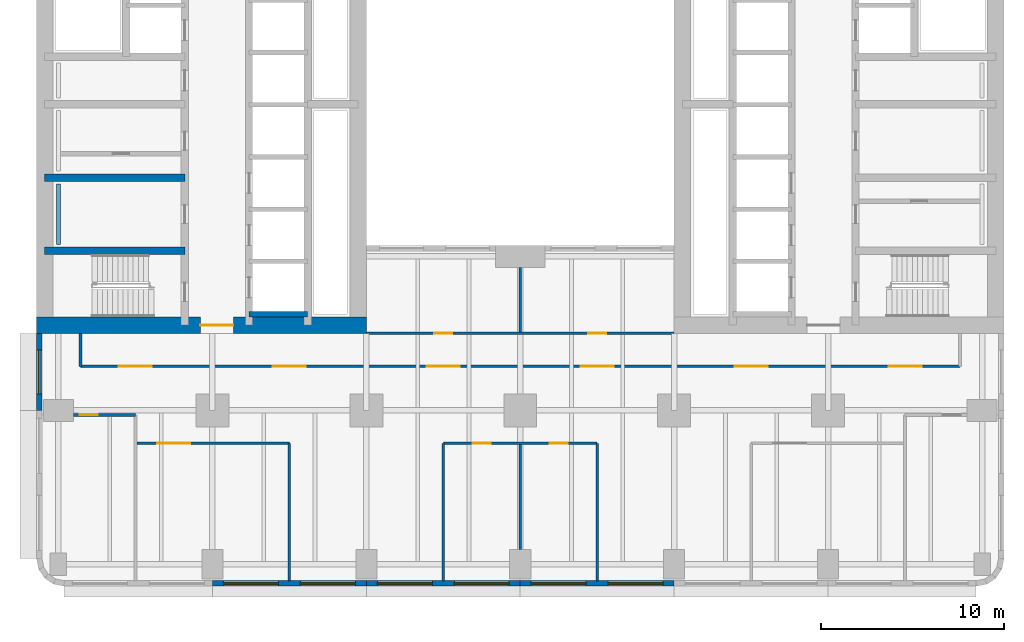
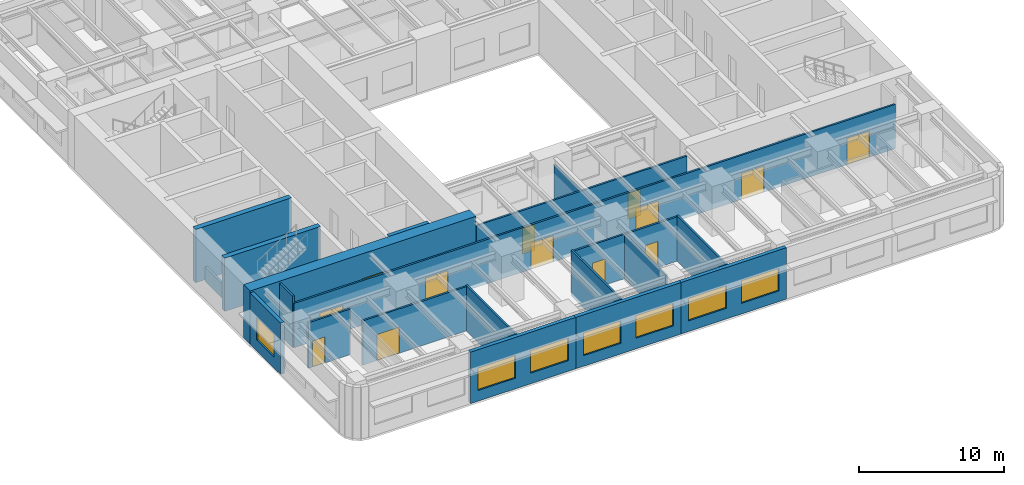
# One storey, part 3 of 14: 20 walls, 13 doors, 7 windows, 20 openings.
"""IFC4 building model written with IfcOpenShell, lengths in metres."""

from ifc_helpers import new_model, si_unit, direction, frame, frame_2d, origin, place, context, subcontext, project, spatial, rectangle, extrude, material, layer, layer_set, type_object, element, fill, save


model = new_model("IFC4")

# Units and contexts
model_context = context("Model", 3, precision=1e-05, world=origin(), true_north=direction((0.0, 1.0)))
body_context = subcontext(model_context, "Body", "Model", "MODEL_VIEW")
ifc_project = project(units=[si_unit("LENGTHUNIT", "METRE"), si_unit("AREAUNIT", "SQUARE_METRE"), si_unit("VOLUMEUNIT", "CUBIC_METRE"), si_unit("PLANEANGLEUNIT", "RADIAN"), si_unit("MASSUNIT", "GRAM", prefix="KILO")], contexts=[model_context])

# Site, building, storey
site_placement = place(None, origin())
site = spatial("IfcSite", under=ifc_project, at=site_placement, CompositionType="ELEMENT")
building_placement = place(site_placement, origin())
building = spatial("IfcBuilding", under=site, at=building_placement, Name="Claustro Exchange Tower", CompositionType="ELEMENT")
storey_placement = place(building_placement, frame((0.0, 0.0, 77.39990234375)))
storey = spatial("IfcBuildingStorey", under=building, at=storey_placement, Name="L17", CompositionType="ELEMENT", Elevation=77.39990234375)

# Wall, opening, door
ifc_material_1 = material(Name="Gypsum board on steel studs", Category="steel")
ifc_layer_1 = layer(ifc_material_1, 0.14990234375)
ifc_layer_set_1 = layer_set([ifc_layer_1], Name="Gypsum board on steel studs")
wall_type_1 = type_object("IfcWallType", Name="P1 150 plasterboard partition", PredefinedType="PARTITIONING", material=ifc_layer_set_1)
wall_1_placement = place(storey_placement, frame((0.823974609375, 8.14990234375, 0.0), z_axis=(0.0, 0.0, 1.0), x_axis=(1.0, 0.0, 0.0)))
wall_1 = element("IfcWall", 1, at=wall_1_placement, inside=storey, type_object=wall_type_1, Name="Partition P1 L17", PredefinedType="PARTITIONING", context=body_context, shape_type="SweptSolid", body=[
    extrude(rectangle(XDim=3.3759765625, YDim=0.14990234375, at=frame_2d((1.68798828125, 0.0))), origin(), (0.0, 0.0, 1.0), 3.840087890625),
])
opening_1_placement = place(wall_1_placement, frame((0.325927734375, 0.0, 0.0)))
opening_1 = element("IfcOpeningElement", 2, at=opening_1_placement, cuts=wall_1, Name="Opening D1", PredefinedType="OPENING", context=body_context, shape_type="SweptSolid", body=[
    extrude(rectangle(XDim=1.0, YDim=2.199951171875, at=frame_2d((0.5, 1.10009765625))), frame((0.0, 0.0849609375, 0.0), z_axis=(0.0, -1.0, 0.0), x_axis=(1.0, 0.0, 0.0)), (0.0, 0.0, 1.0), 0.169921875),
])
ifc_material_2 = material(Name="Timber door, oak veneer", Category="wood")
door_type_1 = type_object("IfcDoorType", Name="D1 1000 x 2200 single door", OperationType="SINGLE_SWING_LEFT", PredefinedType="DOOR", material=ifc_material_2)
door_1_placement = place(opening_1_placement, frame((1.0, 0.0, 0.0), z_axis=(0.0, 0.0, 1.0), x_axis=(-1.0, 0.0, 0.0)))
door_1 = element("IfcDoor", 3, at=door_1_placement, inside=storey, type_object=door_type_1, Name="Door D1 L17", OperationType="SINGLE_SWING_LEFT", OverallHeight=2.199951171875, OverallWidth=1.0, PredefinedType="DOOR", context=body_context, shape_type="SweptSolid", body=[
    extrude(rectangle(XDim=1.0, YDim=2.199951171875, at=frame_2d((0.5, 1.10009765625))), frame((0.0, 0.02490234375, 0.0), z_axis=(0.0, -1.0, 0.0), x_axis=(1.0, 0.0, 0.0)), (0.0, 0.0, 1.0), 0.050048828125),
])
fill(opening_1, door_1)

wall_2_placement = place(storey_placement, frame((4.27392578125, 6.60009765625, 0.0), z_axis=(0.0, 0.0, 1.0), x_axis=(1.0, 0.0, 0.0)))
wall_2 = element("IfcWall", 4, at=wall_2_placement, inside=storey, type_object=wall_type_1, Name="Partition P1 L17", PredefinedType="PARTITIONING", context=body_context, shape_type="SweptSolid", body=[
    extrude(rectangle(XDim=8.326171875, YDim=0.14990234375, at=frame_2d((4.1630859375, 0.0))), origin(), (0.0, 0.0, 1.0), 3.739990234375),
])
opening_2_placement = place(wall_2_placement, frame((1.1259765625, 0.0, 0.0)))
opening_2 = element("IfcOpeningElement", 5, at=opening_2_placement, cuts=wall_2, Name="Opening D2", PredefinedType="OPENING", context=body_context, shape_type="SweptSolid", body=[
    extrude(rectangle(XDim=1.800048828125, YDim=2.199951171875, at=frame_2d((0.89990234375, 1.10009765625))), frame((0.0, 0.0849609375, 0.0), z_axis=(0.0, -1.0, 0.0), x_axis=(1.0, 0.0, 0.0)), (0.0, 0.0, 1.0), 0.169921875),
])
ifc_material_3 = material(Name="Timber door, oak veneer", Category="wood")
door_type_2 = type_object("IfcDoorType", Name="D2 1800 x 2200 double door", OperationType="DOUBLE_DOOR_SINGLE_SWING", PredefinedType="DOOR", material=ifc_material_3)
door_2_placement = place(opening_2_placement, frame((1.800048828125, 0.0, 0.0), z_axis=(0.0, 0.0, 1.0), x_axis=(-1.0, 0.0, 0.0)))
door_2 = element("IfcDoor", 6, at=door_2_placement, inside=storey, type_object=door_type_2, Name="Double door D2 L17", OperationType="DOUBLE_DOOR_SINGLE_SWING", OverallHeight=2.199951171875, OverallWidth=1.800048828125, PredefinedType="DOOR", context=body_context, shape_type="SweptSolid", body=[
    extrude(rectangle(XDim=1.800048828125, YDim=2.199951171875, at=frame_2d((0.89990234375, 1.10009765625))), frame((0.0, 0.02490234375, 0.0), z_axis=(0.0, -1.0, 0.0), x_axis=(1.0, 0.0, 0.0)), (0.0, 0.0, 1.0), 0.050048828125),
])
fill(opening_2, door_2)

# Wall
wall_3_placement = place(storey_placement, frame((12.60009765625, -0.902099609375, 0.0), z_axis=(0.0, 0.0, 1.0), x_axis=(0.0, 1.0, 0.0)))
element("IfcWall", 7, at=wall_3_placement, inside=storey, type_object=wall_type_1, Name="Partition P1 L17", PredefinedType="PARTITIONING", context=body_context, shape_type="SweptSolid", body=[
    extrude(rectangle(XDim=7.502197265625, YDim=0.14990234375, at=frame_2d((3.7509765625, 0.0))), origin(), (0.0, 0.0, 1.0), 3.840087890625),
])

# Wall, openings, doors
wall_4_placement = place(storey_placement, frame((21.0, 6.60009765625, 0.0), z_axis=(0.0, 0.0, 1.0), x_axis=(1.0, 0.0, 0.0)))
wall_4 = element("IfcWall", 8, at=wall_4_placement, inside=storey, type_object=wall_type_1, Name="Partition P1 L17", PredefinedType="PARTITIONING", context=body_context, shape_type="SweptSolid", body=[
    extrude(rectangle(XDim=8.39990234375, YDim=0.14990234375, at=frame_2d((4.199951171875, 0.0))), origin(), (0.0, 0.0, 1.0), 3.739990234375),
])
opening_3_placement = place(wall_4_placement, frame((1.60009765625, 0.0, 0.0)))
opening_3 = element("IfcOpeningElement", 9, at=opening_3_placement, cuts=wall_4, Name="Opening D1", PredefinedType="OPENING", context=body_context, shape_type="SweptSolid", body=[
    extrude(rectangle(XDim=1.0, YDim=2.199951171875, at=frame_2d((0.5, 1.10009765625))), frame((0.0, 0.0849609375, 0.0), z_axis=(0.0, -1.0, 0.0), x_axis=(1.0, 0.0, 0.0)), (0.0, 0.0, 1.0), 0.169921875),
])
opening_4_placement = place(wall_4_placement, frame((5.800048828125, 0.0, 0.0)))
opening_4 = element("IfcOpeningElement", 10, at=opening_4_placement, cuts=wall_4, Name="Opening D1", PredefinedType="OPENING", context=body_context, shape_type="SweptSolid", body=[
    extrude(rectangle(XDim=1.0, YDim=2.199951171875, at=frame_2d((0.5, 1.10009765625))), frame((0.0, 0.0849609375, 0.0), z_axis=(0.0, -1.0, 0.0), x_axis=(1.0, 0.0, 0.0)), (0.0, 0.0, 1.0), 0.169921875),
])
door_3_placement = place(opening_3_placement, frame((1.0, 0.0, 0.0), z_axis=(0.0, 0.0, 1.0), x_axis=(-1.0, 0.0, 0.0)))
door_3 = element("IfcDoor", 11, at=door_3_placement, inside=storey, type_object=door_type_1, Name="Door D1 L17", OperationType="SINGLE_SWING_LEFT", OverallHeight=2.199951171875, OverallWidth=1.0, PredefinedType="DOOR", context=body_context, shape_type="SweptSolid", body=[
    extrude(rectangle(XDim=1.0, YDim=2.199951171875, at=frame_2d((0.5, 1.10009765625))), frame((0.0, 0.02490234375, 0.0), z_axis=(0.0, -1.0, 0.0), x_axis=(1.0, 0.0, 0.0)), (0.0, 0.0, 1.0), 0.050048828125),
])
fill(opening_3, door_3)
door_4_placement = place(opening_4_placement, frame((1.0, 0.0, 0.0), z_axis=(0.0, 0.0, 1.0), x_axis=(-1.0, 0.0, 0.0)))
door_4 = element("IfcDoor", 12, at=door_4_placement, inside=storey, type_object=door_type_1, Name="Door D1 L17", OperationType="SINGLE_SWING_LEFT", OverallHeight=2.199951171875, OverallWidth=1.0, PredefinedType="DOOR", context=body_context, shape_type="SweptSolid", body=[
    extrude(rectangle(XDim=1.0, YDim=2.199951171875, at=frame_2d((0.5, 1.10009765625))), frame((0.0, 0.02490234375, 0.0), z_axis=(0.0, -1.0, 0.0), x_axis=(1.0, 0.0, 0.0)), (0.0, 0.0, 1.0), 0.050048828125),
])
fill(opening_4, door_4)

# Walls
wall_5_placement = place(storey_placement, frame((21.0, -0.902099609375, 0.0), z_axis=(0.0, 0.0, 1.0), x_axis=(0.0, 1.0, 0.0)))
element("IfcWall", 13, at=wall_5_placement, inside=storey, type_object=wall_type_1, Name="Partition P1 L17", PredefinedType="PARTITIONING", context=body_context, shape_type="SweptSolid", body=[
    extrude(rectangle(XDim=7.502197265625, YDim=0.14990234375, at=frame_2d((3.7509765625, 0.0))), origin(), (0.0, 0.0, 1.0), 3.840087890625),
])
wall_6_placement = place(storey_placement, frame((25.199951171875, 0.799072265625, 0.0), z_axis=(0.0, 0.0, 1.0), x_axis=(0.0, 1.0, 0.0)))
element("IfcWall", 14, at=wall_6_placement, inside=storey, type_object=wall_type_1, Name="Partition P1 L17", PredefinedType="PARTITIONING", context=body_context, shape_type="SweptSolid", body=[
    extrude(rectangle(XDim=5.726806640625, YDim=0.14990234375, at=frame_2d((2.86328125, 0.0))), origin(), (0.0, 0.0, 1.0), 3.739990234375),
])
wall_7_placement = place(storey_placement, frame((29.39990234375, -0.902099609375, 0.0), z_axis=(0.0, 0.0, 1.0), x_axis=(0.0, 1.0, 0.0)))
element("IfcWall", 15, at=wall_7_placement, inside=storey, type_object=wall_type_1, Name="Partition P1 L17", PredefinedType="PARTITIONING", context=body_context, shape_type="SweptSolid", body=[
    extrude(rectangle(XDim=7.502197265625, YDim=0.14990234375, at=frame_2d((3.7509765625, 0.0))), origin(), (0.0, 0.0, 1.0), 3.840087890625),
])

# Wall, openings, doors
wall_8_placement = place(storey_placement, frame((1.199951171875, 10.800048828125, 0.0), z_axis=(0.0, 0.0, 1.0), x_axis=(1.0, 0.0, 0.0)))
wall_8 = element("IfcWall", 16, at=wall_8_placement, inside=storey, type_object=wall_type_1, Name="Partition P1 L17", PredefinedType="PARTITIONING", context=body_context, shape_type="SweptSolid", body=[
    extrude(rectangle(XDim=48.0, YDim=0.14990234375, at=frame_2d((24.0, 0.0))), origin(), (0.0, 0.0, 1.0), 3.739990234375),
])
opening_5_placement = place(wall_8_placement, frame((2.10009765625, 0.0, 0.0)))
opening_5 = element("IfcOpeningElement", 17, at=opening_5_placement, cuts=wall_8, Name="Opening D2", PredefinedType="OPENING", context=body_context, shape_type="SweptSolid", body=[
    extrude(rectangle(XDim=1.800048828125, YDim=2.199951171875, at=frame_2d((0.89990234375, 1.10009765625))), frame((0.0, 0.0849609375, 0.0), z_axis=(0.0, -1.0, 0.0), x_axis=(1.0, 0.0, 0.0)), (0.0, 0.0, 1.0), 0.169921875),
])
opening_6_placement = place(wall_8_placement, frame((10.5, 0.0, 0.0)))
opening_6 = element("IfcOpeningElement", 18, at=opening_6_placement, cuts=wall_8, Name="Opening D2", PredefinedType="OPENING", context=body_context, shape_type="SweptSolid", body=[
    extrude(rectangle(XDim=1.800048828125, YDim=2.199951171875, at=frame_2d((0.89990234375, 1.10009765625))), frame((0.0, 0.0849609375, 0.0), z_axis=(0.0, -1.0, 0.0), x_axis=(1.0, 0.0, 0.0)), (0.0, 0.0, 1.0), 0.169921875),
])
opening_7_placement = place(wall_8_placement, frame((18.89990234375, 0.0, 0.0)))
opening_7 = element("IfcOpeningElement", 19, at=opening_7_placement, cuts=wall_8, Name="Opening D2", PredefinedType="OPENING", context=body_context, shape_type="SweptSolid", body=[
    extrude(rectangle(XDim=1.800048828125, YDim=2.199951171875, at=frame_2d((0.89990234375, 1.10009765625))), frame((0.0, 0.0849609375, 0.0), z_axis=(0.0, -1.0, 0.0), x_axis=(1.0, 0.0, 0.0)), (0.0, 0.0, 1.0), 0.169921875),
])
opening_8_placement = place(wall_8_placement, frame((27.300048828125, 0.0, 0.0)))
opening_8 = element("IfcOpeningElement", 20, at=opening_8_placement, cuts=wall_8, Name="Opening D2", PredefinedType="OPENING", context=body_context, shape_type="SweptSolid", body=[
    extrude(rectangle(XDim=1.800048828125, YDim=2.199951171875, at=frame_2d((0.89990234375, 1.10009765625))), frame((0.0, 0.0849609375, 0.0), z_axis=(0.0, -1.0, 0.0), x_axis=(1.0, 0.0, 0.0)), (0.0, 0.0, 1.0), 0.169921875),
])
opening_9_placement = place(wall_8_placement, frame((35.699951171875, 0.0, 0.0)))
opening_9 = element("IfcOpeningElement", 21, at=opening_9_placement, cuts=wall_8, Name="Opening D2", PredefinedType="OPENING", context=body_context, shape_type="SweptSolid", body=[
    extrude(rectangle(XDim=1.800048828125, YDim=2.199951171875, at=frame_2d((0.89990234375, 1.10009765625))), frame((0.0, 0.0849609375, 0.0), z_axis=(0.0, -1.0, 0.0), x_axis=(1.0, 0.0, 0.0)), (0.0, 0.0, 1.0), 0.169921875),
])
opening_10_placement = place(wall_8_placement, frame((44.10009765625, 0.0, 0.0)))
opening_10 = element("IfcOpeningElement", 22, at=opening_10_placement, cuts=wall_8, Name="Opening D2", PredefinedType="OPENING", context=body_context, shape_type="SweptSolid", body=[
    extrude(rectangle(XDim=1.800048828125, YDim=2.199951171875, at=frame_2d((0.89990234375, 1.10009765625))), frame((0.0, 0.0849609375, 0.0), z_axis=(0.0, -1.0, 0.0), x_axis=(1.0, 0.0, 0.0)), (0.0, 0.0, 1.0), 0.169921875),
])
door_5_placement = place(opening_5_placement, frame((1.800048828125, 0.0, 0.0), z_axis=(0.0, 0.0, 1.0), x_axis=(-1.0, 0.0, 0.0)))
door_5 = element("IfcDoor", 23, at=door_5_placement, inside=storey, type_object=door_type_2, Name="Double door D2 L17", OperationType="DOUBLE_DOOR_SINGLE_SWING", OverallHeight=2.199951171875, OverallWidth=1.800048828125, PredefinedType="DOOR", context=body_context, shape_type="SweptSolid", body=[
    extrude(rectangle(XDim=1.800048828125, YDim=2.199951171875, at=frame_2d((0.89990234375, 1.10009765625))), frame((0.0, 0.02490234375, 0.0), z_axis=(0.0, -1.0, 0.0), x_axis=(1.0, 0.0, 0.0)), (0.0, 0.0, 1.0), 0.050048828125),
])
fill(opening_5, door_5)
door_6_placement = place(opening_6_placement, frame((1.800048828125, 0.0, 0.0), z_axis=(0.0, 0.0, 1.0), x_axis=(-1.0, 0.0, 0.0)))
door_6 = element("IfcDoor", 24, at=door_6_placement, inside=storey, type_object=door_type_2, Name="Double door D2 L17", OperationType="DOUBLE_DOOR_SINGLE_SWING", OverallHeight=2.199951171875, OverallWidth=1.800048828125, PredefinedType="DOOR", context=body_context, shape_type="SweptSolid", body=[
    extrude(rectangle(XDim=1.800048828125, YDim=2.199951171875, at=frame_2d((0.89990234375, 1.10009765625))), frame((0.0, 0.02490234375, 0.0), z_axis=(0.0, -1.0, 0.0), x_axis=(1.0, 0.0, 0.0)), (0.0, 0.0, 1.0), 0.050048828125),
])
fill(opening_6, door_6)
door_7_placement = place(opening_7_placement, frame((1.800048828125, 0.0, 0.0), z_axis=(0.0, 0.0, 1.0), x_axis=(-1.0, 0.0, 0.0)))
door_7 = element("IfcDoor", 25, at=door_7_placement, inside=storey, type_object=door_type_2, Name="Double door D2 L17", OperationType="DOUBLE_DOOR_SINGLE_SWING", OverallHeight=2.199951171875, OverallWidth=1.800048828125, PredefinedType="DOOR", context=body_context, shape_type="SweptSolid", body=[
    extrude(rectangle(XDim=1.800048828125, YDim=2.199951171875, at=frame_2d((0.89990234375, 1.10009765625))), frame((0.0, 0.02490234375, 0.0), z_axis=(0.0, -1.0, 0.0), x_axis=(1.0, 0.0, 0.0)), (0.0, 0.0, 1.0), 0.050048828125),
])
fill(opening_7, door_7)
door_8_placement = place(opening_8_placement, frame((1.800048828125, 0.0, 0.0), z_axis=(0.0, 0.0, 1.0), x_axis=(-1.0, 0.0, 0.0)))
door_8 = element("IfcDoor", 26, at=door_8_placement, inside=storey, type_object=door_type_2, Name="Double door D2 L17", OperationType="DOUBLE_DOOR_SINGLE_SWING", OverallHeight=2.199951171875, OverallWidth=1.800048828125, PredefinedType="DOOR", context=body_context, shape_type="SweptSolid", body=[
    extrude(rectangle(XDim=1.800048828125, YDim=2.199951171875, at=frame_2d((0.89990234375, 1.10009765625))), frame((0.0, 0.02490234375, 0.0), z_axis=(0.0, -1.0, 0.0), x_axis=(1.0, 0.0, 0.0)), (0.0, 0.0, 1.0), 0.050048828125),
])
fill(opening_8, door_8)
door_9_placement = place(opening_9_placement, frame((1.800048828125, 0.0, 0.0), z_axis=(0.0, 0.0, 1.0), x_axis=(-1.0, 0.0, 0.0)))
door_9 = element("IfcDoor", 27, at=door_9_placement, inside=storey, type_object=door_type_2, Name="Double door D2 L17", OperationType="DOUBLE_DOOR_SINGLE_SWING", OverallHeight=2.199951171875, OverallWidth=1.800048828125, PredefinedType="DOOR", context=body_context, shape_type="SweptSolid", body=[
    extrude(rectangle(XDim=1.800048828125, YDim=2.199951171875, at=frame_2d((0.89990234375, 1.10009765625))), frame((0.0, 0.02490234375, 0.0), z_axis=(0.0, -1.0, 0.0), x_axis=(1.0, 0.0, 0.0)), (0.0, 0.0, 1.0), 0.050048828125),
])
fill(opening_9, door_9)
door_10_placement = place(opening_10_placement, frame((1.800048828125, 0.0, 0.0), z_axis=(0.0, 0.0, 1.0), x_axis=(-1.0, 0.0, 0.0)))
door_10 = element("IfcDoor", 28, at=door_10_placement, inside=storey, type_object=door_type_2, Name="Double door D2 L17", OperationType="DOUBLE_DOOR_SINGLE_SWING", OverallHeight=2.199951171875, OverallWidth=1.800048828125, PredefinedType="DOOR", context=body_context, shape_type="SweptSolid", body=[
    extrude(rectangle(XDim=1.800048828125, YDim=2.199951171875, at=frame_2d((0.89990234375, 1.10009765625))), frame((0.0, 0.02490234375, 0.0), z_axis=(0.0, -1.0, 0.0), x_axis=(1.0, 0.0, 0.0)), (0.0, 0.0, 1.0), 0.050048828125),
])
fill(opening_10, door_10)

# Wall
wall_9_placement = place(storey_placement, frame((1.199951171875, 10.800048828125, 0.0), z_axis=(0.0, 0.0, 1.0), x_axis=(0.0, 1.0, 0.0)))
element("IfcWall", 29, at=wall_9_placement, inside=storey, type_object=wall_type_1, Name="Partition P1 L17", PredefinedType="PARTITIONING", context=body_context, shape_type="SweptSolid", body=[
    extrude(rectangle(XDim=1.802001953125, YDim=0.14990234375, at=frame_2d((0.90087890625, 0.0))), origin(), (0.0, 0.0, 1.0), 4.340087890625),
])

# Wall, openings, doors
wall_10_placement = place(storey_placement, frame((16.820068359375, 12.60009765625, 0.0), z_axis=(0.0, 0.0, 1.0), x_axis=(1.0, 0.0, 0.0)))
wall_10 = element("IfcWall", 30, at=wall_10_placement, inside=storey, type_object=wall_type_1, Name="Partition P1 L17", PredefinedType="PARTITIONING", context=body_context, shape_type="SweptSolid", body=[
    extrude(rectangle(XDim=16.760009765625, YDim=0.14990234375, at=frame_2d((8.3798828125, 0.0))), origin(), (0.0, 0.0, 1.0), 3.739990234375),
])
opening_11_placement = place(wall_10_placement, frame((3.679931640625, 0.0, 0.0)))
opening_11 = element("IfcOpeningElement", 31, at=opening_11_placement, cuts=wall_10, Name="Opening D1", PredefinedType="OPENING", context=body_context, shape_type="SweptSolid", body=[
    extrude(rectangle(XDim=1.0, YDim=2.199951171875, at=frame_2d((0.5, 1.10009765625))), frame((0.0, 0.0849609375, 0.0), z_axis=(0.0, -1.0, 0.0), x_axis=(1.0, 0.0, 0.0)), (0.0, 0.0, 1.0), 0.169921875),
])
opening_12_placement = place(wall_10_placement, frame((12.080078125, 0.0, 0.0)))
opening_12 = element("IfcOpeningElement", 32, at=opening_12_placement, cuts=wall_10, Name="Opening D1", PredefinedType="OPENING", context=body_context, shape_type="SweptSolid", body=[
    extrude(rectangle(XDim=1.0, YDim=2.199951171875, at=frame_2d((0.5, 1.10009765625))), frame((0.0, 0.0849609375, 0.0), z_axis=(0.0, -1.0, 0.0), x_axis=(1.0, 0.0, 0.0)), (0.0, 0.0, 1.0), 0.169921875),
])
door_11_placement = place(opening_11_placement, origin())
door_11 = element("IfcDoor", 33, at=door_11_placement, inside=storey, type_object=door_type_1, Name="Door D1 L17", OperationType="SINGLE_SWING_RIGHT", OverallHeight=2.199951171875, OverallWidth=1.0, PredefinedType="DOOR", context=body_context, shape_type="SweptSolid", body=[
    extrude(rectangle(XDim=1.0, YDim=2.199951171875, at=frame_2d((0.5, 1.10009765625))), frame((0.0, 0.02490234375, 0.0), z_axis=(0.0, -1.0, 0.0), x_axis=(1.0, 0.0, 0.0)), (0.0, 0.0, 1.0), 0.050048828125),
])
fill(opening_11, door_11)
door_12_placement = place(opening_12_placement, origin())
door_12 = element("IfcDoor", 34, at=door_12_placement, inside=storey, type_object=door_type_1, Name="Door D1 L17", OperationType="SINGLE_SWING_LEFT", OverallHeight=2.199951171875, OverallWidth=1.0, PredefinedType="DOOR", context=body_context, shape_type="SweptSolid", body=[
    extrude(rectangle(XDim=1.0, YDim=2.199951171875, at=frame_2d((0.5, 1.10009765625))), frame((0.0, 0.02490234375, 0.0), z_axis=(0.0, -1.0, 0.0), x_axis=(1.0, 0.0, 0.0)), (0.0, 0.0, 1.0), 0.050048828125),
])
fill(opening_12, door_12)

# Wall
wall_11_placement = place(storey_placement, frame((25.199951171875, 12.674072265625, 0.0), z_axis=(0.0, 0.0, 1.0), x_axis=(0.0, 1.0, 0.0)))
element("IfcWall", 35, at=wall_11_placement, inside=storey, type_object=wall_type_1, Name="Partition P1 L17", PredefinedType="PARTITIONING", context=body_context, shape_type="SweptSolid", body=[
    extrude(rectangle(XDim=3.52685546875, YDim=0.14990234375, at=frame_2d((1.763427734375, 0.0))), origin(), (0.0, 0.0, 1.0), 3.739990234375),
])

# Wall, openings, windows
ifc_material_4 = material(Name="Concrete HA-40 (C40/50), precast, white cement, acid-etched", Category="concrete")
ifc_layer_2 = layer(ifc_material_4, 0.300048828125)
ifc_layer_set_2 = layer_set([ifc_layer_2], Name="Concrete HA-40 (C40/50), precast, white cement, acid-etched")
wall_type_2 = type_object("IfcWallType", Name="PC1 300 precast concrete pier panel", PredefinedType="SOLIDWALL", material=ifc_layer_set_2)
wall_12_placement = place(storey_placement, frame((33.60009765625, -1.050048828125, 0.0), z_axis=(0.0, 0.0, 1.0), x_axis=(-1.0, 0.0, 0.0)))
wall_12 = element("IfcWall", 36, at=wall_12_placement, inside=storey, type_object=wall_type_2, Name="Precast pier panel PC1 L17", PredefinedType="SOLIDWALL", context=body_context, shape_type="SweptSolid", body=[
    extrude(rectangle(XDim=8.400146484375, YDim=0.300048828125, at=frame_2d((4.2001953125, 0.0))), origin(), (0.0, 0.0, 1.0), 4.340087890625),
])
opening_13_placement = place(wall_12_placement, frame((0.60009765625, 0.0, 0.89990234375)))
opening_13 = element("IfcOpeningElement", 37, at=opening_13_placement, cuts=wall_12, Name="Opening W1", PredefinedType="OPENING", context=body_context, shape_type="SweptSolid", body=[
    extrude(rectangle(XDim=3.0, YDim=1.89990234375, at=frame_2d((1.5, 0.949951171875))), frame((0.0, 0.159912109375, 0.0), z_axis=(0.0, -1.0, 0.0), x_axis=(1.0, 0.0, 0.0)), (0.0, 0.0, 1.0), 0.320068359375),
])
opening_14_placement = place(wall_12_placement, frame((4.800048828125, 0.0, 0.89990234375)))
opening_14 = element("IfcOpeningElement", 38, at=opening_14_placement, cuts=wall_12, Name="Opening W1", PredefinedType="OPENING", context=body_context, shape_type="SweptSolid", body=[
    extrude(rectangle(XDim=3.0, YDim=1.89990234375, at=frame_2d((1.5, 0.949951171875))), frame((0.0, 0.159912109375, 0.0), z_axis=(0.0, -1.0, 0.0), x_axis=(1.0, 0.0, 0.0)), (0.0, 0.0, 1.0), 0.320068359375),
])
ifc_material_5 = material(Name="Aluminium frame, clear double glazing", Category="aluminium")
window_type_1 = type_object("IfcWindowType", Name="W1 3000 x 1900 window", PartitioningType="SINGLE_PANEL", PredefinedType="WINDOW", material=ifc_material_5)
window_1_placement = place(opening_13_placement, origin())
window_1 = element("IfcWindow", 39, at=window_1_placement, inside=storey, type_object=window_type_1, Name="Window W1 L17", OverallHeight=1.89990234375, OverallWidth=3.0, PartitioningType="SINGLE_PANEL", PredefinedType="WINDOW", context=body_context, shape_type="SweptSolid", body=[
    extrude(rectangle(XDim=3.0, YDim=1.89990234375, at=frame_2d((1.5, 0.949951171875))), frame((0.0, 0.030029296875, 0.0), z_axis=(0.0, -1.0, 0.0), x_axis=(1.0, 0.0, 0.0)), (0.0, 0.0, 1.0), 0.06005859375),
])
fill(opening_13, window_1)
window_2_placement = place(opening_14_placement, origin())
window_2 = element("IfcWindow", 40, at=window_2_placement, inside=storey, type_object=window_type_1, Name="Window W1 L17", OverallHeight=1.89990234375, OverallWidth=3.0, PartitioningType="SINGLE_PANEL", PredefinedType="WINDOW", context=body_context, shape_type="SweptSolid", body=[
    extrude(rectangle(XDim=3.0, YDim=1.89990234375, at=frame_2d((1.5, 0.949951171875))), frame((0.0, 0.030029296875, 0.0), z_axis=(0.0, -1.0, 0.0), x_axis=(1.0, 0.0, 0.0)), (0.0, 0.0, 1.0), 0.06005859375),
])
fill(opening_14, window_2)

wall_13_placement = place(storey_placement, frame((25.199951171875, -1.050048828125, 0.0), z_axis=(0.0, 0.0, 1.0), x_axis=(-1.0, 0.0, 0.0)))
wall_13 = element("IfcWall", 41, at=wall_13_placement, inside=storey, type_object=wall_type_2, Name="Precast pier panel PC1 L17", PredefinedType="SOLIDWALL", context=body_context, shape_type="SweptSolid", body=[
    extrude(rectangle(XDim=8.39990234375, YDim=0.300048828125, at=frame_2d((4.199951171875, 0.0))), origin(), (0.0, 0.0, 1.0), 4.340087890625),
])
opening_15_placement = place(wall_13_placement, frame((0.60009765625, 0.0, 0.89990234375)))
opening_15 = element("IfcOpeningElement", 42, at=opening_15_placement, cuts=wall_13, Name="Opening W1", PredefinedType="OPENING", context=body_context, shape_type="SweptSolid", body=[
    extrude(rectangle(XDim=3.0, YDim=1.89990234375, at=frame_2d((1.5, 0.949951171875))), frame((0.0, 0.159912109375, 0.0), z_axis=(0.0, -1.0, 0.0), x_axis=(1.0, 0.0, 0.0)), (0.0, 0.0, 1.0), 0.320068359375),
])
opening_16_placement = place(wall_13_placement, frame((4.800048828125, 0.0, 0.89990234375)))
opening_16 = element("IfcOpeningElement", 43, at=opening_16_placement, cuts=wall_13, Name="Opening W1", PredefinedType="OPENING", context=body_context, shape_type="SweptSolid", body=[
    extrude(rectangle(XDim=3.0, YDim=1.89990234375, at=frame_2d((1.5, 0.949951171875))), frame((0.0, 0.159912109375, 0.0), z_axis=(0.0, -1.0, 0.0), x_axis=(1.0, 0.0, 0.0)), (0.0, 0.0, 1.0), 0.320068359375),
])
window_3_placement = place(opening_15_placement, origin())
window_3 = element("IfcWindow", 44, at=window_3_placement, inside=storey, type_object=window_type_1, Name="Window W1 L17", OverallHeight=1.89990234375, OverallWidth=3.0, PartitioningType="SINGLE_PANEL", PredefinedType="WINDOW", context=body_context, shape_type="SweptSolid", body=[
    extrude(rectangle(XDim=3.0, YDim=1.89990234375, at=frame_2d((1.5, 0.949951171875))), frame((0.0, 0.030029296875, 0.0), z_axis=(0.0, -1.0, 0.0), x_axis=(1.0, 0.0, 0.0)), (0.0, 0.0, 1.0), 0.06005859375),
])
fill(opening_15, window_3)
window_4_placement = place(opening_16_placement, origin())
window_4 = element("IfcWindow", 45, at=window_4_placement, inside=storey, type_object=window_type_1, Name="Window W1 L17", OverallHeight=1.89990234375, OverallWidth=3.0, PartitioningType="SINGLE_PANEL", PredefinedType="WINDOW", context=body_context, shape_type="SweptSolid", body=[
    extrude(rectangle(XDim=3.0, YDim=1.89990234375, at=frame_2d((1.5, 0.949951171875))), frame((0.0, 0.030029296875, 0.0), z_axis=(0.0, -1.0, 0.0), x_axis=(1.0, 0.0, 0.0)), (0.0, 0.0, 1.0), 0.06005859375),
])
fill(opening_16, window_4)

wall_14_placement = place(storey_placement, frame((16.800048828125, -1.050048828125, 0.0), z_axis=(0.0, 0.0, 1.0), x_axis=(-1.0, 0.0, 0.0)))
wall_14 = element("IfcWall", 46, at=wall_14_placement, inside=storey, type_object=wall_type_2, Name="Precast pier panel PC1 L17", PredefinedType="SOLIDWALL", context=body_context, shape_type="SweptSolid", body=[
    extrude(rectangle(XDim=8.400146484375, YDim=0.300048828125, at=frame_2d((4.2001953125, 0.0))), origin(), (0.0, 0.0, 1.0), 4.340087890625),
])
opening_17_placement = place(wall_14_placement, frame((0.60009765625, 0.0, 0.89990234375)))
opening_17 = element("IfcOpeningElement", 47, at=opening_17_placement, cuts=wall_14, Name="Opening W1", PredefinedType="OPENING", context=body_context, shape_type="SweptSolid", body=[
    extrude(rectangle(XDim=3.0, YDim=1.89990234375, at=frame_2d((1.5, 0.949951171875))), frame((0.0, 0.159912109375, 0.0), z_axis=(0.0, -1.0, 0.0), x_axis=(1.0, 0.0, 0.0)), (0.0, 0.0, 1.0), 0.320068359375),
])
opening_18_placement = place(wall_14_placement, frame((4.800048828125, 0.0, 0.89990234375)))
opening_18 = element("IfcOpeningElement", 48, at=opening_18_placement, cuts=wall_14, Name="Opening W1", PredefinedType="OPENING", context=body_context, shape_type="SweptSolid", body=[
    extrude(rectangle(XDim=3.0, YDim=1.89990234375, at=frame_2d((1.5, 0.949951171875))), frame((0.0, 0.159912109375, 0.0), z_axis=(0.0, -1.0, 0.0), x_axis=(1.0, 0.0, 0.0)), (0.0, 0.0, 1.0), 0.320068359375),
])
window_5_placement = place(opening_17_placement, origin())
window_5 = element("IfcWindow", 49, at=window_5_placement, inside=storey, type_object=window_type_1, Name="Window W1 L17", OverallHeight=1.89990234375, OverallWidth=3.0, PartitioningType="SINGLE_PANEL", PredefinedType="WINDOW", context=body_context, shape_type="SweptSolid", body=[
    extrude(rectangle(XDim=3.0, YDim=1.89990234375, at=frame_2d((1.5, 0.949951171875))), frame((0.0, 0.030029296875, 0.0), z_axis=(0.0, -1.0, 0.0), x_axis=(1.0, 0.0, 0.0)), (0.0, 0.0, 1.0), 0.06005859375),
])
fill(opening_17, window_5)
window_6_placement = place(opening_18_placement, origin())
window_6 = element("IfcWindow", 50, at=window_6_placement, inside=storey, type_object=window_type_1, Name="Window W1 L17", OverallHeight=1.89990234375, OverallWidth=3.0, PartitioningType="SINGLE_PANEL", PredefinedType="WINDOW", context=body_context, shape_type="SweptSolid", body=[
    extrude(rectangle(XDim=3.0, YDim=1.89990234375, at=frame_2d((1.5, 0.949951171875))), frame((0.0, 0.030029296875, 0.0), z_axis=(0.0, -1.0, 0.0), x_axis=(1.0, 0.0, 0.0)), (0.0, 0.0, 1.0), 0.06005859375),
])
fill(opening_18, window_6)

# Wall, opening, window
wall_15_placement = place(storey_placement, frame((-1.050048828125, 8.39990234375, 0.0), z_axis=(0.0, 0.0, 1.0), x_axis=(0.0, 1.0, 0.0)))
wall_15 = element("IfcWall", 51, at=wall_15_placement, inside=storey, type_object=wall_type_2, Name="Precast pier panel PC1 L17", PredefinedType="SOLIDWALL", context=body_context, shape_type="SweptSolid", body=[
    extrude(rectangle(XDim=4.2001953125, YDim=0.300048828125, at=frame_2d((2.10009765625, 0.0))), origin(), (0.0, 0.0, 1.0), 4.340087890625),
])
opening_19_placement = place(wall_15_placement, frame((0.89990234375, 0.0, 0.89990234375)))
opening_19 = element("IfcOpeningElement", 52, at=opening_19_placement, cuts=wall_15, Name="Opening W2", PredefinedType="OPENING", context=body_context, shape_type="SweptSolid", body=[
    extrude(rectangle(XDim=2.39990234375, YDim=1.89990234375, at=frame_2d((1.199951171875, 0.949951171875))), frame((0.0, 0.159912109375, 0.0), z_axis=(0.0, -1.0, 0.0), x_axis=(1.0, 0.0, 0.0)), (0.0, 0.0, 1.0), 0.320068359375),
])
ifc_material_6 = material(Name="Aluminium frame, clear double glazing", Category="aluminium")
window_type_2 = type_object("IfcWindowType", Name="W2 2400 x 1900 window", PartitioningType="SINGLE_PANEL", PredefinedType="WINDOW", material=ifc_material_6)
window_7_placement = place(opening_19_placement, origin())
window_7 = element("IfcWindow", 53, at=window_7_placement, inside=storey, type_object=window_type_2, Name="Window W2 L17", OverallHeight=1.89990234375, OverallWidth=2.39990234375, PartitioningType="SINGLE_PANEL", PredefinedType="WINDOW", context=body_context, shape_type="SweptSolid", body=[
    extrude(rectangle(XDim=2.39990234375, YDim=1.89990234375, at=frame_2d((1.199951171875, 0.949951171875))), frame((0.0, 0.030029296875, 0.0), z_axis=(0.0, -1.0, 0.0), x_axis=(1.0, 0.0, 0.0)), (0.0, 0.0, 1.0), 0.06005859375),
])
fill(opening_19, window_7)

# Wall
ifc_material_7 = material(Name="Gypsum board on steel studs, tiled", Category="steel")
ifc_layer_3 = layer(ifc_material_7, 0.199951171875)
ifc_layer_set_3 = layer_set([ifc_layer_3], Name="Gypsum board on steel studs, tiled")
wall_type_3 = type_object("IfcWallType", Name="PW1 200 WC duct wall", PredefinedType="PLUMBINGWALL", material=ifc_layer_set_3)
wall_16_placement = place(storey_placement, frame((0.0, 17.449951171875, 0.0), z_axis=(0.0, 0.0, 1.0), x_axis=(0.0, 1.0, 0.0)))
element("IfcWall", 54, at=wall_16_placement, inside=storey, type_object=wall_type_3, Name="WC duct wall PW1 L17", PredefinedType="PLUMBINGWALL", context=body_context, shape_type="SweptSolid", body=[
    extrude(rectangle(XDim=3.300048828125, YDim=0.199951171875, at=frame_2d((1.64990234375, 0.0))), origin(), (0.0, 0.0, 1.0), 1.2001953125),
])

# Wall, opening, door
ifc_material_8 = material(Name="Concrete HA-70 (C70/85)", Category="concrete")
ifc_layer_4 = layer(ifc_material_8, 0.89990234375)
ifc_layer_set_4 = layer_set([ifc_layer_4], Name="Concrete HA-70 (C70/85)")
wall_type_4 = type_object("IfcWallType", Name="SW1 900 core shear wall", PredefinedType="SHEAR", material=ifc_layer_set_4)
wall_17_placement = place(storey_placement, frame((-1.199951171875, 13.050048828125, 0.0), z_axis=(0.0, 0.0, 1.0), x_axis=(1.0, 0.0, 0.0)))
wall_17 = element("IfcWall", 55, at=wall_17_placement, inside=storey, type_object=wall_type_4, Name="Core wall SW1 W core S face L17", PredefinedType="SHEAR", context=body_context, shape_type="SweptSolid", body=[
    extrude(rectangle(XDim=18.0, YDim=0.89990234375, at=frame_2d((9.0, 0.0))), origin(), (0.0, 0.0, 1.0), 4.5),
])
opening_20_placement = place(wall_17_placement, frame((8.949951171875, 0.0, 0.0)))
opening_20 = element("IfcOpeningElement", 56, at=opening_20_placement, cuts=wall_17, Name="Opening D3", PredefinedType="OPENING", context=body_context, shape_type="SweptSolid", body=[
    extrude(rectangle(XDim=1.800048828125, YDim=2.39990234375, at=frame_2d((0.89990234375, 1.199951171875))), frame((0.0, 0.4599609375, 0.0), z_axis=(0.0, -1.0, 0.0), x_axis=(1.0, 0.0, 0.0)), (0.0, 0.0, 1.0), 0.919921875),
])
ifc_material_9 = material(Name="Steel fire door, painted", Category="steel")
door_type_3 = type_object("IfcDoorType", Name="D3 1800 x 2400 fire-rated lobby double door", OperationType="DOUBLE_DOOR_SINGLE_SWING", PredefinedType="DOOR", material=ifc_material_9)
door_13_placement = place(opening_20_placement, origin())
door_13 = element("IfcDoor", 57, at=door_13_placement, inside=storey, type_object=door_type_3, Name="Lift lobby door D3 L17", OperationType="DOUBLE_DOOR_SINGLE_SWING", OverallHeight=2.39990234375, OverallWidth=1.800048828125, PredefinedType="DOOR", context=body_context, shape_type="SweptSolid", body=[
    extrude(rectangle(XDim=1.800048828125, YDim=2.39990234375, at=frame_2d((0.89990234375, 1.199951171875))), frame((0.0, 0.02490234375, 0.0), z_axis=(0.0, -1.0, 0.0), x_axis=(1.0, 0.0, 0.0)), (0.0, 0.0, 1.0), 0.050048828125),
])
fill(opening_20, door_13)

# Walls
ifc_material_10 = material(Name="Concrete HA-50 (C50/60)", Category="concrete")
ifc_layer_5 = layer(ifc_material_10, 0.39990234375)
ifc_layer_set_5 = layer_set([ifc_layer_5], Name="Concrete HA-50 (C50/60)")
wall_type_5 = type_object("IfcWallType", Name="SW4 400 internal core wall", PredefinedType="SHEAR", material=ifc_layer_set_5)
for number, where, z_axis, x_axis, name in (
    (58, (-0.75, 17.10009765625, 0.0), (0.0, 0.0, 1.0), (1.0, 0.0, 0.0), "Internal core wall SW4 W core L17"),
    (59, (-0.75, 21.10009765625, 0.0), (0.0, 0.0, 1.0), (1.0, 0.0, 0.0), "Internal core wall SW4 W core L17"),
):
    element("IfcWall", number, at=place(storey_placement, frame(where, z_axis=z_axis, x_axis=x_axis)), inside=storey, type_object=wall_type_5, Name=name, PredefinedType="SHEAR", context=body_context, shape_type="SweptSolid", body=[
        extrude(rectangle(XDim=7.64990234375, YDim=0.39990234375, at=frame_2d((3.824951171875, 0.0))), origin(), (0.0, 0.0, 1.0), 4.5),
    ])
ifc_material_11 = material(Name="Concrete HA-50 (C50/60)", Category="concrete")
ifc_layer_6 = layer(ifc_material_11, 0.300048828125)
ifc_layer_set_6 = layer_set([ifc_layer_6], Name="Concrete HA-50 (C50/60)")
wall_type_6 = type_object("IfcWallType", Name="SW6A 300 lift shaft end wall", PredefinedType="SHEAR", material=ifc_layer_set_6)
wall_18_placement = place(storey_placement, frame((10.39990234375, 13.64990234375, 0.0), z_axis=(0.0, 0.0, 1.0), x_axis=(1.0, 0.0, 0.0)))
element("IfcWall", 60, at=wall_18_placement, inside=storey, type_object=wall_type_6, Name="Lift shaft wall W core L17", PredefinedType="SHEAR", context=body_context, shape_type="SweptSolid", body=[
    extrude(rectangle(XDim=3.2001953125, YDim=0.300048828125, at=frame_2d((1.60009765625, 0.0))), origin(), (0.0, 0.0, 1.0), 4.5),
])

save(model, "model.ifc")
